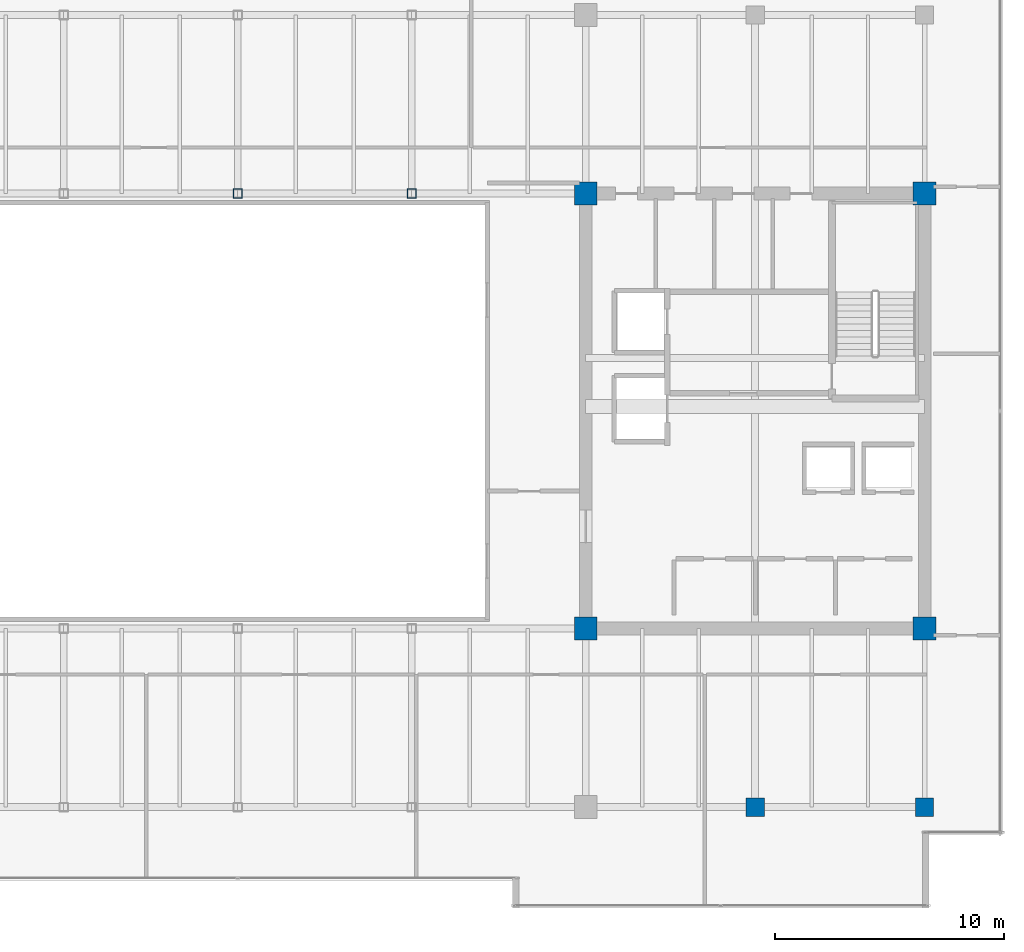
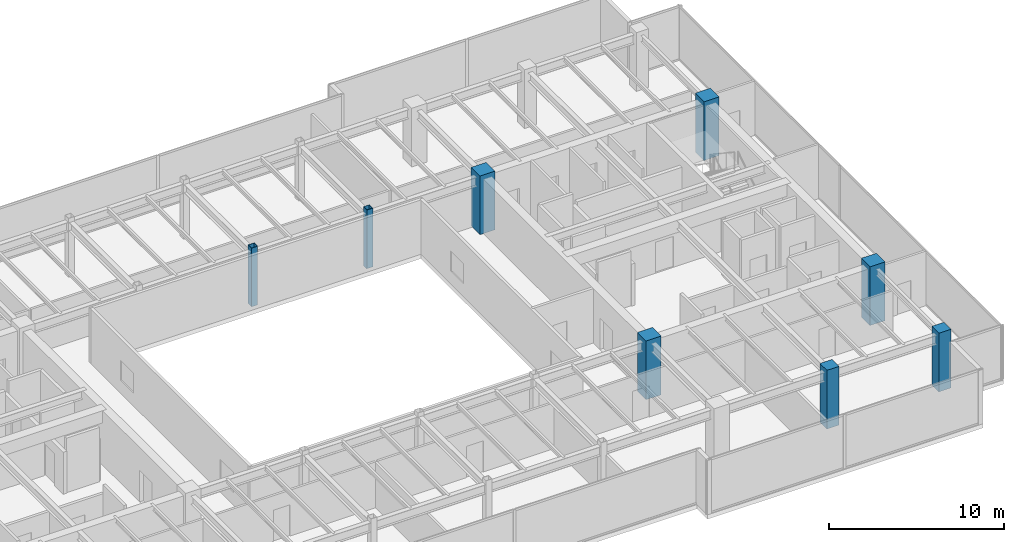
# One storey, part 2 of 33: 8 columns.
"""IFC4 building model written with IfcOpenShell, lengths in metres."""

import ifcopenshell
import ifcopenshell.guid

model = None  # the IFC model being written
_history = None  # IfcOwnerHistory: only IFC2X3 demands one
_inside = {}  # id of a spatial element -> (the spatial element, [elements in it])
_under = {}  # id of a project, library or spatial element -> (it, [spatial elements below it])
_declared = {}  # id of a project -> (the project, [libraries it declares])
_typed = {}  # id of a type object -> (the type object, [elements of that type])
_made_of = {}  # id of a material, layer set ... -> (it, [elements and type objects made of it])


def new_model(schema):
    """Start an empty IFC model of exactly this schema.

    Asked for "IFC4X3", IfcOpenShell would pick the latest addendum, in which some entities
    have other attributes; the version numbers below select the first issue.
    IFC2X3 requires an IfcOwnerHistory on every rooted entity: one is made here for all.
    """
    global model, _history
    if schema == "IFC4X3":
        model = ifcopenshell.file(schema_version=(4, 3, 0, 0))
    else:
        model = ifcopenshell.file(schema=schema)
    _inside.clear()
    _under.clear()
    _declared.clear()
    _typed.clear()
    _made_of.clear()
    _history = None
    if model.schema == "IFC2X3":
        org = make("IfcOrganization", Name="unknown")
        user = make(
            "IfcPersonAndOrganization",
            ThePerson=make("IfcPerson", FamilyName="unknown"),
            TheOrganization=org,
        )
        app = make(
            "IfcApplication",
            ApplicationDeveloper=org,
            Version="unknown",
            ApplicationFullName="unknown",
            ApplicationIdentifier="unknown",
        )
        _history = make(
            "IfcOwnerHistory",
            OwningUser=user,
            OwningApplication=app,
            ChangeAction="ADDED",
            CreationDate=0,
        )
    return model


def make(cls, **values):
    """One entity of the class cls with the attributes given. An attribute that is None is left unset."""
    return model.create_entity(
        cls, **{name: value for name, value in values.items() if value is not None}
    )


def rooted(cls, **values):
    """An entity with a GlobalId (a new one), such as an element, a storey or a relation."""
    return make(cls, GlobalId=ifcopenshell.guid.new(), OwnerHistory=_history, **values)


def si_unit(unit_type, name, prefix=None):
    """IfcSIUnit, for example si_unit("LENGTHUNIT", "METRE", prefix="MILLI")."""
    return make("IfcSIUnit", UnitType=unit_type, Prefix=prefix, Name=name)


def assignment(units):
    """IfcUnitAssignment: the units of a project."""
    return None if units is None else make("IfcUnitAssignment", Units=units)


def point(xyz):
    """IfcCartesianPoint."""
    return None if xyz is None else make("IfcCartesianPoint", Coordinates=xyz)


def direction(xyz):
    """IfcDirection."""
    return None if xyz is None else make("IfcDirection", DirectionRatios=xyz)


def frame(location, z_axis=None, x_axis=None):
    """IfcAxis2Placement3D, a coordinate frame: its origin and axes. An axis left out is left unset."""
    return make(
        "IfcAxis2Placement3D",
        Location=point(location),
        Axis=direction(z_axis),
        RefDirection=direction(x_axis),
    )


def frame_2d(location, x_axis=None):
    """IfcAxis2Placement2D, a coordinate frame in the plane: its origin and x axis."""
    return make(
        "IfcAxis2Placement2D", Location=point(location), RefDirection=direction(x_axis)
    )


def origin():
    """The frame at (0, 0, 0) with its axes left unset."""
    return frame((0.0, 0.0, 0.0))


def origin_2d():
    """The frame at (0, 0) in the plane with its x axis left unset."""
    return frame_2d((0.0, 0.0))


def place(relative_to, where):
    """IfcLocalPlacement: puts the frame where relative to a parent placement (None: the world)."""
    return make(
        "IfcLocalPlacement", PlacementRelTo=relative_to, RelativePlacement=where
    )


def context(
    kind, dimensions, precision=None, world=None, true_north=None, identifier=None
):
    """IfcGeometricRepresentationContext, for example the 3D "Model" context."""
    return make(
        "IfcGeometricRepresentationContext",
        ContextIdentifier=identifier,
        ContextType=kind,
        CoordinateSpaceDimension=dimensions,
        Precision=precision,
        WorldCoordinateSystem=world,
        TrueNorth=true_north,
    )


def subcontext(parent, identifier, kind, view, scale=None):
    """IfcGeometricRepresentationSubContext, for example "Body" below "Model"."""
    return make(
        "IfcGeometricRepresentationSubContext",
        ContextIdentifier=identifier,
        ContextType=kind,
        ParentContext=parent,
        TargetScale=scale,
        TargetView=view,
    )


def project(units=None, contexts=None):
    """IfcProject with its units and contexts."""
    return rooted(
        "IfcProject",
        Name="project",
        RepresentationContexts=contexts,
        UnitsInContext=assignment(units),
    )


def spatial(cls, under=None, at=None, **own):
    """A site, building, storey or space (cls), placed at a placement, below another one or the project."""
    s = rooted(cls, ObjectPlacement=at, **own)
    if under is not None:
        _under.setdefault(under.id(), (under, []))[1].append(s)
    return s


def profile(cls, at=None, kind="AREA", **sizes):
    """A parametric profile (cls). Its sizes go by their IFC names, for example OverallWidth=200.0."""
    return make(cls, ProfileType=kind, Position=at, **sizes)


def rectangle(**sizes):
    """IfcRectangleProfileDef."""
    return profile("IfcRectangleProfileDef", **sizes)


def hollow_rectangle(**sizes):
    """IfcRectangleHollowProfileDef."""
    return profile("IfcRectangleHollowProfileDef", **sizes)


def extrude(swept, where, along, depth):
    """IfcExtrudedAreaSolid: the profile swept, set in the frame where, extruded along a direction by depth."""
    return make(
        "IfcExtrudedAreaSolid",
        SweptArea=swept,
        Position=where,
        ExtrudedDirection=direction(along),
        Depth=depth,
    )


def shape(context_of_items, identifier, shape_type, items):
    """IfcShapeRepresentation: the items that make up one representation, for example the "Body"."""
    return make(
        "IfcShapeRepresentation",
        ContextOfItems=context_of_items,
        RepresentationIdentifier=identifier,
        RepresentationType=shape_type,
        Items=items,
    )


def source(mapping_origin, context_of_items, identifier, shape_type, items):
    """IfcRepresentationMap: a shape defined once, which mapped items show again and again."""
    return make(
        "IfcRepresentationMap",
        MappingOrigin=mapping_origin,
        MappedRepresentation=shape(context_of_items, identifier, shape_type, items),
    )


def transform(
    local_origin,
    x_axis=None,
    y_axis=None,
    z_axis=None,
    scale=None,
    scale2=None,
    scale3=None,
    uniform=True,
):
    """IfcCartesianTransformationOperator3D, or its non-uniform kind. x_axis, y_axis, z_axis: its Axis1, 2, 3."""
    if uniform:
        return make(
            "IfcCartesianTransformationOperator3D",
            Axis1=direction(x_axis),
            Axis2=direction(y_axis),
            LocalOrigin=point(local_origin),
            Scale=scale,
            Axis3=direction(z_axis),
        )
    return make(
        "IfcCartesianTransformationOperator3DnonUniform",
        Axis1=direction(x_axis),
        Axis2=direction(y_axis),
        LocalOrigin=point(local_origin),
        Scale=scale,
        Axis3=direction(z_axis),
        Scale2=scale2,
        Scale3=scale3,
    )


def mapped(mapping_source, mapping_target):
    """IfcMappedItem: shows the shape of a source again, moved by a transform."""
    return make(
        "IfcMappedItem", MappingSource=mapping_source, MappingTarget=mapping_target
    )


def material(Name=None, Category=None):
    """IfcMaterial."""
    return make("IfcMaterial", Name=Name, Category=Category)


def material_profile(
    of_material, cross_section, Name=None, Category=None, Priority=None
):
    """IfcMaterialProfile: a cross section and its material."""
    return make(
        "IfcMaterialProfile",
        Name=Name,
        Material=of_material,
        Profile=cross_section,
        Priority=Priority,
        Category=Category,
    )


def profile_set(profiles, Name=None, composite=None):
    """IfcMaterialProfileSet."""
    return make(
        "IfcMaterialProfileSet",
        Name=Name,
        MaterialProfiles=profiles,
        CompositeProfile=composite,
    )


def made_of(thing, what):
    """Note that an element or type object is made of a material, layer set ...; save() writes the relation."""
    if what is not None:
        _made_of.setdefault(what.id(), (what, []))[1].append(thing)
    return thing


def type_object(cls, material=None, **own):
    """A type object (cls), such as IfcWallType, which elements share."""
    return made_of(rooted(cls, **own), material)


def type_shapes(of_type, sources):
    """Give a type object the sources (RepresentationMaps) that its elements show as mapped items."""
    of_type.RepresentationMaps = sources


def element(
    cls,
    number,
    at=None,
    inside=None,
    cuts=None,
    type_object=None,
    material=None,
    context=None,
    identifier="Body",
    shape_type=None,
    held_by="IfcProductDefinitionShape",
    body=None,
    shapes=None,
    **own,
):
    """One element of the class cls, such as IfcWall. Its Tag is "e" and its number.

    at: its placement. inside: the storey or other place that contains it. cuts: it is an
    opening in that element (IfcRelVoidsElement). A single representation is given by context,
    identifier, shape_type and body (its items); several are given by shapes. held_by: the class
    of the entity that holds the representations. save() writes the other relations.
    """
    e = rooted(cls, Tag="e%d" % number, ObjectPlacement=at, **own)
    if body is not None:
        shapes = [shape(context, identifier, shape_type, body)]
    if shapes is not None:
        e.Representation = make(held_by, Representations=shapes)
    if inside is not None:
        _inside.setdefault(inside.id(), (inside, []))[1].append(e)
    if cuts is not None:
        rooted(
            "IfcRelVoidsElement", RelatingBuildingElement=cuts, RelatedOpeningElement=e
        )
    if type_object is not None:
        _typed.setdefault(type_object.id(), (type_object, []))[1].append(e)
    return made_of(e, material)


def aggregate(whole, parts):
    """IfcRelAggregates: a whole, such as a stair, and the parts it consists of."""
    return rooted("IfcRelAggregates", RelatingObject=whole, RelatedObjects=parts)


def save(model, path):
    """Write the relations noted so far, then the file.

    IfcRelAggregates (storeys below a building ...), IfcRelContainedInSpatialStructure (elements
    in a storey), IfcRelDefinesByType, IfcRelAssociatesMaterial and IfcRelDeclares: one each for
    every whole, place, type object, material and project.
    """
    for whole, parts in _under.values():
        aggregate(whole, parts)
    for where, things in _inside.values():
        rooted(
            "IfcRelContainedInSpatialStructure",
            RelatedElements=things,
            RelatingStructure=where,
        )
    for kind, things in _typed.values():
        rooted("IfcRelDefinesByType", RelatedObjects=things, RelatingType=kind)
    for what, things in _made_of.values():
        rooted("IfcRelAssociatesMaterial", RelatedObjects=things, RelatingMaterial=what)
    for by, libraries in _declared.values():
        rooted("IfcRelDeclares", RelatingContext=by, RelatedDefinitions=libraries)
    model.write(path)


model = new_model("IFC4")

# Units and contexts
model_context = context("Model", 3, precision=1e-05, world=origin(), true_north=direction((0.0, 1.0)))
body_context = subcontext(model_context, "Body", "Model", "MODEL_VIEW")
ifc_project = project(units=[si_unit("LENGTHUNIT", "METRE"), si_unit("AREAUNIT", "SQUARE_METRE"), si_unit("VOLUMEUNIT", "CUBIC_METRE"), si_unit("PLANEANGLEUNIT", "RADIAN"), si_unit("MASSUNIT", "GRAM", prefix="KILO")], contexts=[model_context])

# Site, building, storey
site_placement = place(None, origin())
site = spatial("IfcSite", under=ifc_project, at=site_placement, CompositionType="ELEMENT")
building_placement = place(site_placement, origin())
building = spatial("IfcBuilding", under=site, at=building_placement, Name="Haelvirn Gate Laboratories", CompositionType="ELEMENT")
storey_placement = place(building_placement, frame((0.0, 0.0, 209.60009765625)))
storey = spatial("IfcBuildingStorey", under=building, at=storey_placement, Name="L50", CompositionType="ELEMENT", Elevation=209.60009765625)

# Columns
ifc_material_1 = material(Name="Concrete C60/75", Category="concrete")
ifc_material_profile_1 = material_profile(ifc_material_1, rectangle(XDim=1.0, YDim=1.0, at=origin_2d()), Name="RC-1000x1000")
ifc_profile_set_1 = profile_set([ifc_material_profile_1], Name="Concrete C60/75")
column_type_1 = type_object("IfcColumnType", Name="COL-RC-1000", PredefinedType="COLUMN", material=ifc_profile_set_1)
shared_shape_1 = source(origin(), body_context, "Body", "SweptSolid", [
    extrude(rectangle(XDim=1.0, YDim=1.0, at=origin_2d()), origin(), (0.0, 0.0, 1.0), 4.099853515625),
])
type_shapes(column_type_1, [shared_shape_1])
for number, where, z_axis, x_axis, name in (
    (1, (52.60009765625, 14.800048828125, 0.0), (0.0, 0.0, 1.0), (1.0, 0.0, 0.0), "L50 Column 8C"),
    (2, (67.39990234375, 14.800048828125, 0.0), (0.0, 0.0, 1.0), (1.0, 0.0, 0.0), "L50 Column 10C"),
    (3, (52.60009765625, 33.800048828125, 0.0), (0.0, 0.0, 1.0), (1.0, 0.0, 0.0), "L50 Column 8F"),
    (4, (67.39990234375, 33.800048828125, 0.0), (0.0, 0.0, 1.0), (1.0, 0.0, 0.0), "L50 Column 10F"),
):
    element("IfcColumn", number, at=place(storey_placement, frame(where, z_axis=z_axis, x_axis=x_axis)), inside=storey, type_object=column_type_1, Name=name, PredefinedType="COLUMN", context=body_context, shape_type="MappedRepresentation", body=[
        mapped(shared_shape_1, transform((0.0, 0.0, 0.0), scale=1.0)),
    ])
ifc_material_2 = material(Name="Concrete C50/60", Category="concrete")
ifc_material_profile_2 = material_profile(ifc_material_2, rectangle(XDim=0.800048828125, YDim=0.800048828125, at=origin_2d()), Name="RC-800x800")
ifc_profile_set_2 = profile_set([ifc_material_profile_2], Name="Concrete C50/60")
column_type_2 = type_object("IfcColumnType", Name="COL-RC-800", PredefinedType="COLUMN", material=ifc_profile_set_2)
shared_shape_2 = source(origin(), body_context, "Body", "SweptSolid", [
    extrude(rectangle(XDim=0.800048828125, YDim=0.800048828125, at=origin_2d()), origin(), (0.0, 0.0, 1.0), 4.099853515625),
])
type_shapes(column_type_2, [shared_shape_2])
for number, where, z_axis, x_axis, name in (
    (5, (60.0, 7.0, 0.0), (0.0, 0.0, 1.0), (1.0, 0.0, 0.0), "L50 Column 9B"),
    (6, (67.39990234375, 7.0, 0.0), (0.0, 0.0, 1.0), (1.0, 0.0, 0.0), "L50 Column 10B"),
):
    element("IfcColumn", number, at=place(storey_placement, frame(where, z_axis=z_axis, x_axis=x_axis)), inside=storey, type_object=column_type_2, Name=name, PredefinedType="COLUMN", context=body_context, shape_type="MappedRepresentation", body=[
        mapped(shared_shape_2, transform((0.0, 0.0, 0.0), scale=1.0)),
    ])
ifc_material_3 = material(Name="Steel SM355", Category="steel")
ifc_material_profile_3 = material_profile(ifc_material_3, hollow_rectangle(XDim=0.39990234375, YDim=0.39990234375, WallThickness=0.01904296875, at=origin_2d()), Name="BOX-400x400x19")
ifc_profile_set_3 = profile_set([ifc_material_profile_3], Name="Steel SM355")
column_type_3 = type_object("IfcColumnType", Name="COL-BOX-400", PredefinedType="COLUMN", material=ifc_profile_set_3)
shared_shape_3 = source(origin(), body_context, "Body", "SweptSolid", [
    extrude(hollow_rectangle(XDim=0.39990234375, YDim=0.39990234375, WallThickness=0.01904296875, at=origin_2d()), origin(), (0.0, 0.0, 1.0), 4.099853515625),
])
type_shapes(column_type_3, [shared_shape_3])
for number, where, z_axis, x_axis, name in (
    (7, (37.39990234375, 33.800048828125, 0.0), (0.0, 0.0, 1.0), (1.0, 0.0, 0.0), "L50 Column 6F"),
    (8, (45.0, 33.800048828125, 0.0), (0.0, 0.0, 1.0), (1.0, 0.0, 0.0), "L50 Column 7F"),
):
    element("IfcColumn", number, at=place(storey_placement, frame(where, z_axis=z_axis, x_axis=x_axis)), inside=storey, type_object=column_type_3, Name=name, PredefinedType="COLUMN", context=body_context, shape_type="MappedRepresentation", body=[
        mapped(shared_shape_3, transform((0.0, 0.0, 0.0), scale=1.0)),
    ])

save(model, "model.ifc")
